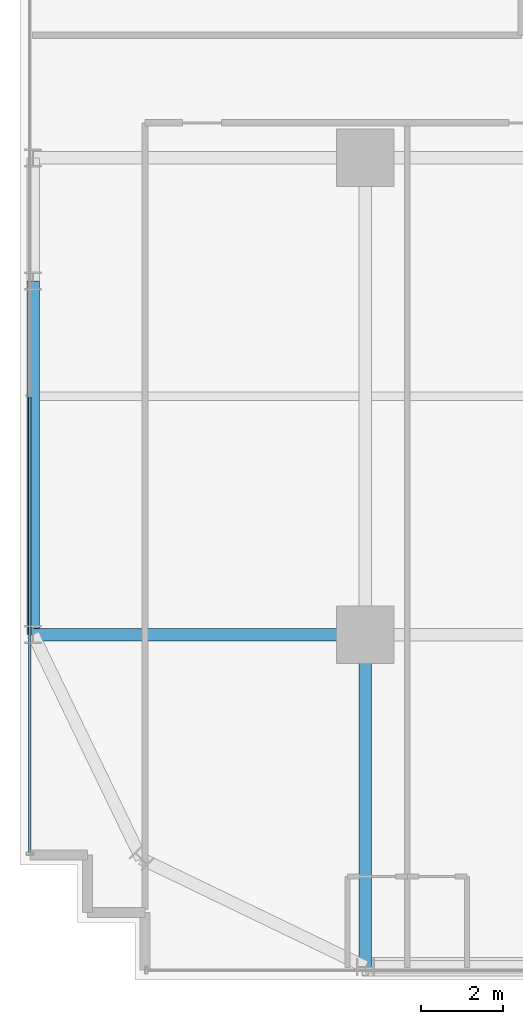
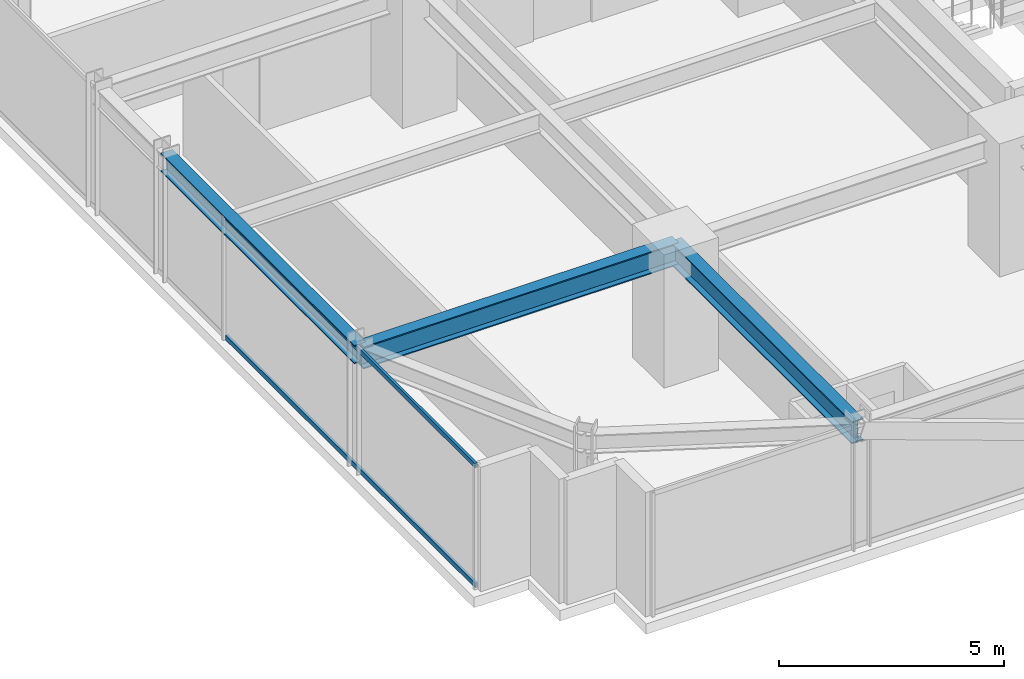
# One storey, part 5 of 35: 3 beams, 2 members, 1 element without a shape of its own.
"""IFC4 building model written with IfcOpenShell, lengths in metres."""

from ifc_helpers import new_model, si_unit, direction, frame, origin, origin_2d, place, context, subcontext, project, spatial, hollow_rectangle, i_section, extrude, source, transform, mapped, material, material_profile, profile_set, type_object, element, aggregate, save


model = new_model("IFC4")

# Units and contexts
model_context = context("Model", 3, precision=1e-05, world=origin(), true_north=direction((0.0, 1.0)))
body_context = subcontext(model_context, "Body", "Model", "MODEL_VIEW")
ifc_project = project(units=[si_unit("LENGTHUNIT", "METRE"), si_unit("AREAUNIT", "SQUARE_METRE"), si_unit("VOLUMEUNIT", "CUBIC_METRE"), si_unit("PLANEANGLEUNIT", "RADIAN"), si_unit("MASSUNIT", "GRAM", prefix="KILO")], contexts=[model_context])

# Site, building, storey
site_placement = place(None, origin())
site = spatial("IfcSite", under=ifc_project, at=site_placement, CompositionType="ELEMENT")
building_placement = place(site_placement, origin())
building = spatial("IfcBuilding", under=site, at=building_placement, Name="Nahalor Promenade Grand Hotel", CompositionType="ELEMENT")
storey_placement = place(building_placement, frame((0.0, 0.0, 39.699951171875)))
storey = spatial("IfcBuildingStorey", under=building, at=storey_placement, Name="L08", CompositionType="ELEMENT", Elevation=39.699951171875)

# Beams
ifc_material_1 = material(Name="Steel S355JR", Category="steel")
ifc_material_profile_1 = material_profile(ifc_material_1, i_section(OverallWidth=0.3, OverallDepth=0.5, WebThickness=0.0145, FlangeThickness=0.028, at=origin_2d()), Name="HEB 500")
ifc_profile_set_1 = profile_set([ifc_material_profile_1], Name="Steel S355JR")
beam_type_1 = type_object("IfcBeamType", Name="Beam-Spandrel-HEB500", PredefinedType="SPANDREL", material=ifc_profile_set_1)
shared_shape_1 = source(origin(), body_context, "Body", "SweptSolid", [
    extrude(i_section(OverallWidth=0.3, OverallDepth=0.5, WebThickness=0.0145, FlangeThickness=0.028, at=origin_2d()), origin(), (0.0, 0.0, 1.0), 8.60009765625),
])
beam_placement = place(storey_placement, frame((-25.080078125, -17.0, 3.1201171875), z_axis=(0.0, 1.0, 0.0), x_axis=(-1.0, 0.0, 0.0)))
element("IfcBeam", 1, at=beam_placement, inside=storey, type_object=beam_type_1, Name="BM-L08-SP-W-0", PredefinedType="SPANDREL", context=body_context, shape_type="MappedRepresentation", body=[
    mapped(shared_shape_1, transform((0.0, 0.0, 0.0), scale=1.0)),
])
ifc_material_profile_2 = material_profile(ifc_material_1, i_section(OverallWidth=0.3, OverallDepth=0.6, WebThickness=0.0155, FlangeThickness=0.03, at=origin_2d()), Name="HEB 600")
ifc_profile_set_2 = profile_set([ifc_material_profile_2], Name="Steel S355JR")
beam_type_2 = type_object("IfcBeamType", Name="Beam-Girder-HEB600", PredefinedType="BEAM", material=ifc_profile_set_2)
shared_shape_2 = source(origin(), body_context, "Body", "SweptSolid", [
    extrude(i_section(OverallWidth=0.3, OverallDepth=0.6, WebThickness=0.0155, FlangeThickness=0.03, at=origin_2d()), origin(), (0.0, 0.0, 1.0), 8.080078125),
])
for number, where, z_axis, x_axis, name in (
    (2, (-25.080078125, -17.0, 3.070068359375), (1.0, 0.0, 0.0), (0.0, 1.0, 0.0), "BM-L08-GX-0-0"),
    (3, (-17.0, -25.080078125, 3.070068359375), (0.0, 1.0, 0.0), (-1.0, 0.0, 0.0), "BM-L08-GY-0-0"),
):
    element("IfcBeam", number, at=place(storey_placement, frame(where, z_axis=z_axis, x_axis=x_axis)), inside=storey, type_object=beam_type_2, Name=name, PredefinedType="BEAM", context=body_context, shape_type="MappedRepresentation", body=[
        mapped(shared_shape_2, transform((0.0, 0.0, 0.0), scale=1.0)),
    ])

# Curtain wall, members
ifc_material_2 = material(Name="Anodised Bronze Aluminium EN AW-6063 T6", Category="aluminium")
curtain_wall_type = type_object("IfcCurtainWallType", Name="CW2 Typical Hotel Flush Bronze Unitised Curtain Wall", PredefinedType="USERDEFINED", material=ifc_material_2)
curtain_wall_placement = place(storey_placement, origin())
curtain_wall = element("IfcCurtainWall", 4, at=curtain_wall_placement, inside=storey, type_object=curtain_wall_type, Name="L08 Curtain Wall CW-L08-W-1", ObjectType="UNITISED_CURTAIN_WALL", PredefinedType="USERDEFINED")
ifc_material_profile_3 = material_profile(ifc_material_2, hollow_rectangle(XDim=0.065, YDim=0.13, WallThickness=0.004, at=origin_2d()), Name="CWT 65x130x4")
ifc_profile_set_3 = profile_set([ifc_material_profile_3], Name="Anodised Bronze Aluminium EN AW-6063 T6")
member_type = type_object("IfcMemberType", Name="CWT2 Typical Bronze Transom 65x130", PredefinedType="USERDEFINED", material=ifc_profile_set_3)
shared_shape_3 = source(origin(), body_context, "Body", "SweptSolid", [
    extrude(hollow_rectangle(XDim=0.065, YDim=0.13, WallThickness=0.004, at=origin_2d()), origin(), (0.0, 0.0, 1.0), 11.08251953125),
])
member_1_placement = place(storey_placement, frame((-25.159912109375, -22.294921875, 0.06494140625), z_axis=(0.0, 1.0, 0.0), x_axis=(-1.0, 0.0, 0.0)))
member_1 = element("IfcMember", 5, at=member_1_placement, type_object=member_type, Name="CW-L08-W-1 Transom 0-0", ObjectType="TRANSOM", PredefinedType="USERDEFINED", context=body_context, shape_type="MappedRepresentation", body=[
    mapped(shared_shape_3, transform((0.0, 0.0, 0.0), scale=1.0)),
])
member_2_placement = place(storey_placement, frame((-25.159912109375, -22.294921875, 3.304931640625), z_axis=(0.0, 1.0, 0.0), x_axis=(-1.0, 0.0, 0.0)))
member_2 = element("IfcMember", 6, at=member_2_placement, type_object=member_type, Name="CW-L08-W-1 Transom 0-1", ObjectType="TRANSOM", PredefinedType="USERDEFINED", context=body_context, shape_type="MappedRepresentation", body=[
    mapped(shared_shape_3, transform((0.0, 0.0, 0.0), scale=1.0)),
])
aggregate(curtain_wall, [member_1, member_2])

save(model, "model.ifc")
